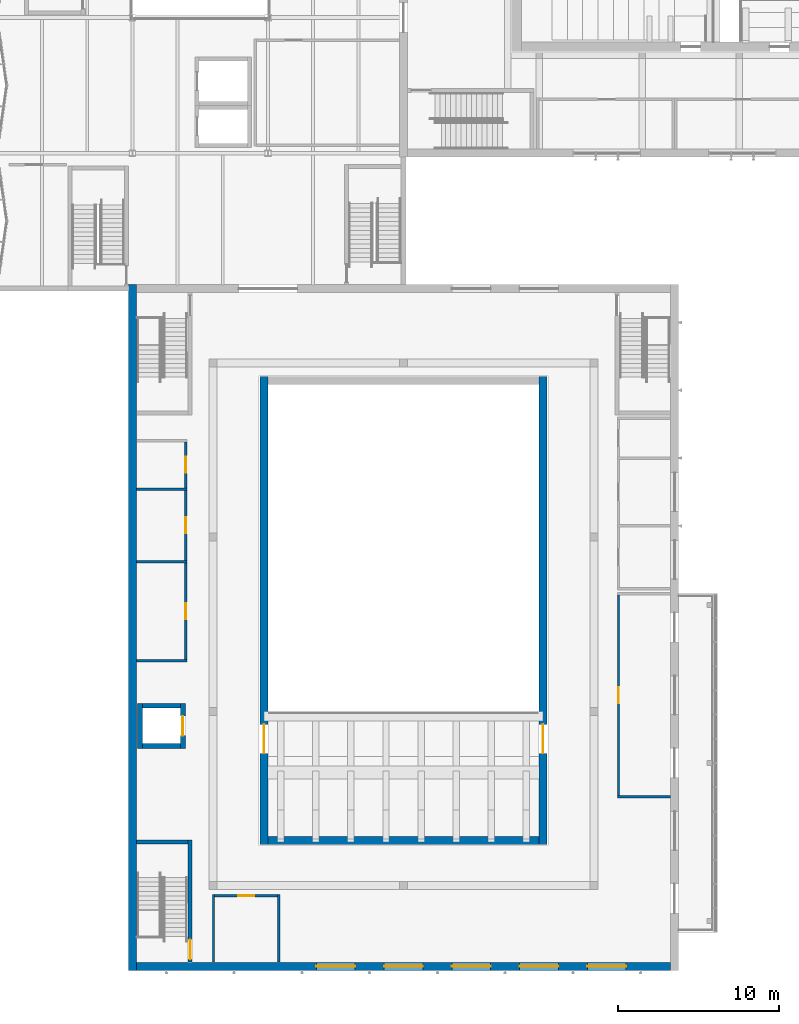
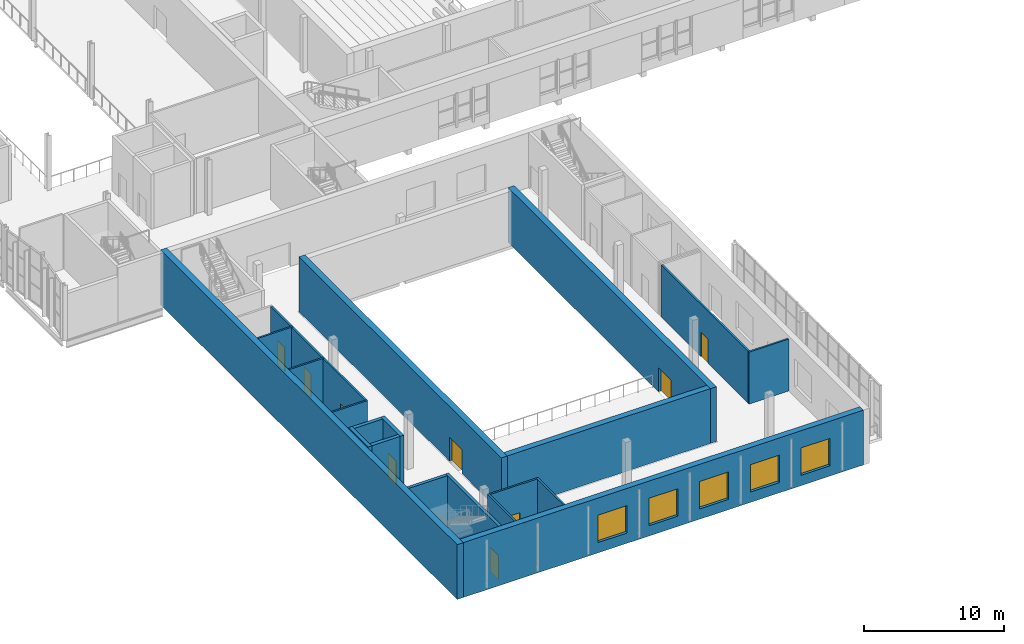
# One storey, part 70 of 127: 22 walls, 9 doors, 5 windows, 14 openings.
"""IFC4 building model written with IfcOpenShell, lengths in metres."""

from ifc_helpers import new_model, si_unit, direction, frame, frame_2d, origin, place, context, subcontext, project, spatial, rectangle, extrude, material, layer, layer_set, type_object, element, fill, save


model = new_model("IFC4")

# Units and contexts
model_context = context("Model", 3, precision=1e-05, world=origin(), true_north=direction((0.0, 1.0)))
body_context = subcontext(model_context, "Body", "Model", "MODEL_VIEW")
ifc_project = project(units=[si_unit("LENGTHUNIT", "METRE"), si_unit("AREAUNIT", "SQUARE_METRE"), si_unit("VOLUMEUNIT", "CUBIC_METRE"), si_unit("PLANEANGLEUNIT", "RADIAN"), si_unit("MASSUNIT", "GRAM", prefix="KILO")], contexts=[model_context])

# Site, building, storey
site_placement = place(None, origin())
site = spatial("IfcSite", under=ifc_project, at=site_placement, CompositionType="ELEMENT")
building_placement = place(site_placement, origin())
building = spatial("IfcBuilding", under=site, at=building_placement, Name="Ljudholm Concert House", CompositionType="ELEMENT")
storey_placement = place(building_placement, frame((0.0, 0.0, 5.39990234375)))
storey = spatial("IfcBuildingStorey", under=building, at=storey_placement, Name="L01", CompositionType="ELEMENT", Elevation=5.39990234375)

# Wall, opening, door
ifc_material_1 = material(Name="Gypsum board on steel studs", Category="steel")
ifc_layer_1 = layer(ifc_material_1, 0.14990234375)
ifc_layer_set_1 = layer_set([ifc_layer_1], Name="Gypsum board on steel studs")
wall_type_1 = type_object("IfcWallType", Name="GYPSUM PARTITION 150", PredefinedType="PARTITIONING", material=ifc_layer_set_1)
wall_1_placement = place(storey_placement, frame((17.5, 8.375, 0.0), z_axis=(0.0, 0.0, 1.0), x_axis=(1.0, 0.0, 0.0)))
wall_1 = element("IfcWall", 1, at=wall_1_placement, inside=storey, type_object=wall_type_1, Name="Chamber Hall Store partition", PredefinedType="PARTITIONING", context=body_context, shape_type="SweptSolid", body=[
    extrude(rectangle(XDim=3.89990234375, YDim=0.14990234375, at=frame_2d((1.949951171875, 0.0))), origin(), (0.0, 0.0, 1.0), 4.550048828125),
])
opening_1_placement = place(wall_1_placement, frame((1.449951171875, 0.0, 0.0)))
opening_1 = element("IfcOpeningElement", 2, at=opening_1_placement, cuts=wall_1, Name="Opening D-C01-005", PredefinedType="OPENING", context=body_context, shape_type="SweptSolid", body=[
    extrude(rectangle(XDim=1.0, YDim=2.10009765625, at=frame_2d((0.5, 1.050048828125))), frame((0.0, 0.0849609375, 0.0), z_axis=(0.0, -1.0, 0.0), x_axis=(1.0, 0.0, 0.0)), (0.0, 0.0, 1.0), 0.169921875),
])
ifc_material_2 = material(Name="Hollow metal door in steel frame", Category="steel")
door_type_1 = type_object("IfcDoorType", Name="SWING DOOR 1000x2100", OperationType="SINGLE_SWING_LEFT", PredefinedType="DOOR", material=ifc_material_2)
door_1_placement = place(opening_1_placement, frame((1.0, 0.0, 0.0), z_axis=(0.0, 0.0, 1.0), x_axis=(-1.0, 0.0, 0.0)))
door_1 = element("IfcDoor", 3, at=door_1_placement, inside=storey, type_object=door_type_1, Name="Chamber Hall Store door", OperationType="SINGLE_SWING_RIGHT", OverallHeight=2.10009765625, OverallWidth=1.0, PredefinedType="DOOR", context=body_context, shape_type="SweptSolid", body=[
    extrude(rectangle(XDim=1.0, YDim=2.10009765625, at=frame_2d((0.5, 1.050048828125))), frame((0.0, 0.02490234375, 0.0), z_axis=(0.0, -1.0, 0.0), x_axis=(1.0, 0.0, 0.0)), (0.0, 0.0, 1.0), 0.050048828125),
])
fill(opening_1, door_1)

# Walls
for number, where, z_axis, x_axis, name in (
    (4, (17.425048828125, 4.25, 0.0), (0.0, 0.0, 1.0), (0.0, 1.0, 0.0), "Chamber Hall Store partition"),
    (5, (21.47509765625, 4.25, 0.0), (0.0, 0.0, 1.0), (0.0, 1.0, 0.0), "Chamber Hall Store partition"),
):
    element("IfcWall", number, at=place(storey_placement, frame(where, z_axis=z_axis, x_axis=x_axis)), inside=storey, type_object=wall_type_1, Name=name, PredefinedType="PARTITIONING", context=body_context, shape_type="SweptSolid", body=[
        extrude(rectangle(XDim=4.199951171875, YDim=0.14990234375, at=frame_2d((2.10009765625, 0.0))), origin(), (0.0, 0.0, 1.0), 4.550048828125),
    ])

# Wall, opening, door
wall_2_placement = place(storey_placement, frame((15.699951171875, 23.0, 0.0), z_axis=(0.0, 0.0, 1.0), x_axis=(0.0, 1.0, 0.0)))
wall_2 = element("IfcWall", 6, at=wall_2_placement, inside=storey, type_object=wall_type_1, Name="Women's WC partition", PredefinedType="PARTITIONING", context=body_context, shape_type="SweptSolid", body=[
    extrude(rectangle(XDim=6.0, YDim=0.14990234375, at=frame_2d((3.0, 0.0))), origin(), (0.0, 0.0, 1.0), 4.550048828125),
])
opening_2_placement = place(wall_2_placement, frame((2.5, 0.0, 0.0)))
opening_2 = element("IfcOpeningElement", 7, at=opening_2_placement, cuts=wall_2, Name="Opening D-C01-006", PredefinedType="OPENING", context=body_context, shape_type="SweptSolid", body=[
    extrude(rectangle(XDim=1.0, YDim=2.10009765625, at=frame_2d((0.5, 1.050048828125))), frame((0.0, 0.0849609375, 0.0), z_axis=(0.0, -1.0, 0.0), x_axis=(1.0, 0.0, 0.0)), (0.0, 0.0, 1.0), 0.169921875),
])
door_2_placement = place(opening_2_placement, origin())
door_2 = element("IfcDoor", 8, at=door_2_placement, inside=storey, type_object=door_type_1, Name="Women's WC door", OperationType="SINGLE_SWING_RIGHT", OverallHeight=2.10009765625, OverallWidth=1.0, PredefinedType="DOOR", context=body_context, shape_type="SweptSolid", body=[
    extrude(rectangle(XDim=1.0, YDim=2.10009765625, at=frame_2d((0.5, 1.050048828125))), frame((0.0, 0.02490234375, 0.0), z_axis=(0.0, -1.0, 0.0), x_axis=(1.0, 0.0, 0.0)), (0.0, 0.0, 1.0), 0.050048828125),
])
fill(opening_2, door_2)

# Walls
for number, where, z_axis, x_axis, name in (
    (9, (12.64990234375, 22.925048828125, 0.0), (0.0, 0.0, 1.0), (1.0, 0.0, 0.0), "Women's WC partition"),
    (10, (12.64990234375, 29.074951171875, 0.0), (0.0, 0.0, 1.0), (1.0, 0.0, 0.0), "Women's WC partition"),
):
    element("IfcWall", number, at=place(storey_placement, frame(where, z_axis=z_axis, x_axis=x_axis)), inside=storey, type_object=wall_type_1, Name=name, PredefinedType="PARTITIONING", context=body_context, shape_type="SweptSolid", body=[
        extrude(rectangle(XDim=3.125, YDim=0.14990234375, at=frame_2d((1.5625, 0.0))), origin(), (0.0, 0.0, 1.0), 4.550048828125),
    ])

# Wall, opening, door
wall_3_placement = place(storey_placement, frame((15.699951171875, 29.14990234375, 0.0), z_axis=(0.0, 0.0, 1.0), x_axis=(0.0, 1.0, 0.0)))
wall_3 = element("IfcWall", 11, at=wall_3_placement, inside=storey, type_object=wall_type_1, Name="Men's WC partition", PredefinedType="PARTITIONING", context=body_context, shape_type="SweptSolid", body=[
    extrude(rectangle(XDim=4.35009765625, YDim=0.14990234375, at=frame_2d((2.175048828125, 0.0))), origin(), (0.0, 0.0, 1.0), 4.550048828125),
])
opening_3_placement = place(wall_3_placement, frame((1.675048828125, 0.0, 0.0)))
opening_3 = element("IfcOpeningElement", 12, at=opening_3_placement, cuts=wall_3, Name="Opening D-C01-007", PredefinedType="OPENING", context=body_context, shape_type="SweptSolid", body=[
    extrude(rectangle(XDim=1.0, YDim=2.10009765625, at=frame_2d((0.5, 1.050048828125))), frame((0.0, 0.0849609375, 0.0), z_axis=(0.0, -1.0, 0.0), x_axis=(1.0, 0.0, 0.0)), (0.0, 0.0, 1.0), 0.169921875),
])
door_3_placement = place(opening_3_placement, origin())
door_3 = element("IfcDoor", 13, at=door_3_placement, inside=storey, type_object=door_type_1, Name="Men's WC door", OperationType="SINGLE_SWING_RIGHT", OverallHeight=2.10009765625, OverallWidth=1.0, PredefinedType="DOOR", context=body_context, shape_type="SweptSolid", body=[
    extrude(rectangle(XDim=1.0, YDim=2.10009765625, at=frame_2d((0.5, 1.050048828125))), frame((0.0, 0.02490234375, 0.0), z_axis=(0.0, -1.0, 0.0), x_axis=(1.0, 0.0, 0.0)), (0.0, 0.0, 1.0), 0.050048828125),
])
fill(opening_3, door_3)

# Wall
wall_4_placement = place(storey_placement, frame((12.64990234375, 33.574951171875, 0.0), z_axis=(0.0, 0.0, 1.0), x_axis=(1.0, 0.0, 0.0)))
element("IfcWall", 14, at=wall_4_placement, inside=storey, type_object=wall_type_1, Name="Men's WC partition", PredefinedType="PARTITIONING", context=body_context, shape_type="SweptSolid", body=[
    extrude(rectangle(XDim=3.125, YDim=0.14990234375, at=frame_2d((1.5625, 0.0))), origin(), (0.0, 0.0, 1.0), 4.550048828125),
])

# Wall, opening, door
wall_5_placement = place(storey_placement, frame((15.699951171875, 33.64990234375, 0.0), z_axis=(0.0, 0.0, 1.0), x_axis=(0.0, 1.0, 0.0)))
wall_5 = element("IfcWall", 15, at=wall_5_placement, inside=storey, type_object=wall_type_1, Name="Accessible WC partition", PredefinedType="PARTITIONING", context=body_context, shape_type="SweptSolid", body=[
    extrude(rectangle(XDim=2.85009765625, YDim=0.14990234375, at=frame_2d((1.425048828125, 0.0))), origin(), (0.0, 0.0, 1.0), 4.550048828125),
])
opening_4_placement = place(wall_5_placement, frame((0.925048828125, 0.0, 0.0)))
opening_4 = element("IfcOpeningElement", 16, at=opening_4_placement, cuts=wall_5, Name="Opening D-C01-008", PredefinedType="OPENING", context=body_context, shape_type="SweptSolid", body=[
    extrude(rectangle(XDim=1.0, YDim=2.10009765625, at=frame_2d((0.5, 1.050048828125))), frame((0.0, 0.0849609375, 0.0), z_axis=(0.0, -1.0, 0.0), x_axis=(1.0, 0.0, 0.0)), (0.0, 0.0, 1.0), 0.169921875),
])
door_4_placement = place(opening_4_placement, origin())
door_4 = element("IfcDoor", 17, at=door_4_placement, inside=storey, type_object=door_type_1, Name="Accessible WC door", OperationType="SINGLE_SWING_LEFT", OverallHeight=2.10009765625, OverallWidth=1.0, PredefinedType="DOOR", context=body_context, shape_type="SweptSolid", body=[
    extrude(rectangle(XDim=1.0, YDim=2.10009765625, at=frame_2d((0.5, 1.050048828125))), frame((0.0, 0.02490234375, 0.0), z_axis=(0.0, -1.0, 0.0), x_axis=(1.0, 0.0, 0.0)), (0.0, 0.0, 1.0), 0.050048828125),
])
fill(opening_4, door_4)

wall_6_placement = place(storey_placement, frame((42.52490234375, 14.574951171875, 0.0), z_axis=(0.0, 0.0, 1.0), x_axis=(0.0, 1.0, 0.0)))
wall_6 = element("IfcWall", 18, at=wall_6_placement, inside=storey, type_object=wall_type_1, Name="Chamber Hall Bar partition", PredefinedType="PARTITIONING", context=body_context, shape_type="SweptSolid", body=[
    extrude(rectangle(XDim=12.449951171875, YDim=0.14990234375, at=frame_2d((6.22509765625, 0.0))), origin(), (0.0, 0.0, 1.0), 4.550048828125),
])
opening_5_placement = place(wall_6_placement, frame((5.72509765625, 0.0, 0.0)))
opening_5 = element("IfcOpeningElement", 19, at=opening_5_placement, cuts=wall_6, Name="Opening D-C01-009", PredefinedType="OPENING", context=body_context, shape_type="SweptSolid", body=[
    extrude(rectangle(XDim=1.0, YDim=2.10009765625, at=frame_2d((0.5, 1.050048828125))), frame((0.0, 0.0849609375, 0.0), z_axis=(0.0, -1.0, 0.0), x_axis=(1.0, 0.0, 0.0)), (0.0, 0.0, 1.0), 0.169921875),
])
door_5_placement = place(opening_5_placement, frame((1.0, 0.0, 0.0), z_axis=(0.0, 0.0, 1.0), x_axis=(-1.0, 0.0, 0.0)))
door_5 = element("IfcDoor", 20, at=door_5_placement, inside=storey, type_object=door_type_1, Name="Chamber Hall Bar door", OperationType="SINGLE_SWING_LEFT", OverallHeight=2.10009765625, OverallWidth=1.0, PredefinedType="DOOR", context=body_context, shape_type="SweptSolid", body=[
    extrude(rectangle(XDim=1.0, YDim=2.10009765625, at=frame_2d((0.5, 1.050048828125))), frame((0.0, 0.02490234375, 0.0), z_axis=(0.0, -1.0, 0.0), x_axis=(1.0, 0.0, 0.0)), (0.0, 0.0, 1.0), 0.050048828125),
])
fill(opening_5, door_5)

# Wall
wall_7_placement = place(storey_placement, frame((42.449951171875, 14.5, 0.0), z_axis=(0.0, 0.0, 1.0), x_axis=(1.0, 0.0, 0.0)))
element("IfcWall", 21, at=wall_7_placement, inside=storey, type_object=wall_type_1, Name="Chamber Hall Bar partition", PredefinedType="PARTITIONING", context=body_context, shape_type="SweptSolid", body=[
    extrude(rectangle(XDim=3.300048828125, YDim=0.14990234375, at=frame_2d((1.64990234375, 0.0))), origin(), (0.0, 0.0, 1.0), 4.550048828125),
])

# Wall, opening, door
ifc_material_3 = material(Name="Concrete 6,500 psi", Category="concrete")
ifc_layer_2 = layer(ifc_material_3, 0.25)
ifc_layer_set_2 = layer_set([ifc_layer_2], Name="Concrete 6,500 psi")
wall_type_2 = type_object("IfcWallType", Name="RC WALL 250", PredefinedType="SOLIDWALL", material=ifc_layer_set_2)
wall_8_placement = place(storey_placement, frame((15.97509765625, 4.25, 0.0), z_axis=(0.0, 0.0, 1.0), x_axis=(0.0, 1.0, 0.0)))
wall_8 = element("IfcWall", 22, at=wall_8_placement, inside=storey, type_object=wall_type_2, Name="Stair enclosure wall EC1", PredefinedType="SOLIDWALL", context=body_context, shape_type="SweptSolid", body=[
    extrude(rectangle(XDim=7.570068359375, YDim=0.25, at=frame_2d((3.78515625, 0.0))), origin(), (0.0, 0.0, 1.0), 4.800048828125),
])
opening_6_placement = place(wall_8_placement, frame((0.199951171875, 0.0, 0.0)))
opening_6 = element("IfcOpeningElement", 23, at=opening_6_placement, cuts=wall_8, Name="Opening D-C01-013", PredefinedType="OPENING", context=body_context, shape_type="SweptSolid", body=[
    extrude(rectangle(XDim=1.199951171875, YDim=2.10009765625, at=frame_2d((0.60009765625, 1.050048828125))), frame((0.0, 0.135009765625, 0.0), z_axis=(0.0, -1.0, 0.0), x_axis=(1.0, 0.0, 0.0)), (0.0, 0.0, 1.0), 0.27001953125),
])
ifc_material_4 = material(Name="Hollow metal door in steel frame", Category="steel")
door_type_2 = type_object("IfcDoorType", Name="SWING DOOR 1200x2100", OperationType="SINGLE_SWING_LEFT", PredefinedType="DOOR", material=ifc_material_4)
door_6_placement = place(opening_6_placement, origin())
door_6 = element("IfcDoor", 24, at=door_6_placement, inside=storey, type_object=door_type_2, Name="Exit stair EC1 door", OperationType="SINGLE_SWING_RIGHT", OverallHeight=2.10009765625, OverallWidth=1.199951171875, PredefinedType="DOOR", context=body_context, shape_type="SweptSolid", body=[
    extrude(rectangle(XDim=1.199951171875, YDim=2.10009765625, at=frame_2d((0.60009765625, 1.050048828125))), frame((0.0, 0.02490234375, 0.0), z_axis=(0.0, -1.0, 0.0), x_axis=(1.0, 0.0, 0.0)), (0.0, 0.0, 1.0), 0.050048828125),
])
fill(opening_6, door_6)

# Walls
wall_9_placement = place(storey_placement, frame((12.64990234375, 11.695068359375, 0.0), z_axis=(0.0, 0.0, 1.0), x_axis=(1.0, 0.0, 0.0)))
element("IfcWall", 25, at=wall_9_placement, inside=storey, type_object=wall_type_2, Name="Stair enclosure wall EC1", PredefinedType="SOLIDWALL", context=body_context, shape_type="SweptSolid", body=[
    extrude(rectangle(XDim=3.2001953125, YDim=0.25, at=frame_2d((1.60009765625, 0.0))), origin(), (0.0, 0.0, 1.0), 4.800048828125),
])
ifc_material_5 = material(Name="Concrete 6,500 psi", Category="concrete")
ifc_layer_3 = layer(ifc_material_5, 0.300048828125)
ifc_layer_set_3 = layer_set([ifc_layer_3], Name="Concrete 6,500 psi")
wall_type_3 = type_object("IfcWallType", Name="RC WALL 300", PredefinedType="SOLIDWALL", material=ifc_layer_set_3)
wall_10_placement = place(storey_placement, frame((12.875, 17.5, 0.0), z_axis=(0.0, 0.0, 1.0), x_axis=(0.0, 1.0, 0.0)))
element("IfcWall", 26, at=wall_10_placement, inside=storey, type_object=wall_type_3, Name="Lift shaft wall", PredefinedType="SOLIDWALL", context=body_context, shape_type="SweptSolid", body=[
    extrude(rectangle(XDim=2.800048828125, YDim=0.300048828125, at=frame_2d((1.39990234375, 0.0))), origin(), (0.0, 0.0, 1.0), 4.800048828125),
])

# Wall, opening, door
wall_11_placement = place(storey_placement, frame((15.52490234375, 17.5, 0.0), z_axis=(0.0, 0.0, 1.0), x_axis=(0.0, 1.0, 0.0)))
wall_11 = element("IfcWall", 27, at=wall_11_placement, inside=storey, type_object=wall_type_3, Name="Lift shaft wall", PredefinedType="SOLIDWALL", context=body_context, shape_type="SweptSolid", body=[
    extrude(rectangle(XDim=2.800048828125, YDim=0.300048828125, at=frame_2d((1.39990234375, 0.0))), origin(), (0.0, 0.0, 1.0), 4.800048828125),
])
opening_7_placement = place(wall_11_placement, frame((0.800048828125, 0.0, 0.0)))
opening_7 = element("IfcOpeningElement", 28, at=opening_7_placement, cuts=wall_11, Name="Opening LD-C01-001", PredefinedType="OPENING", context=body_context, shape_type="SweptSolid", body=[
    extrude(rectangle(XDim=1.199951171875, YDim=2.10009765625, at=frame_2d((0.60009765625, 1.050048828125))), frame((0.0, 0.159912109375, 0.0), z_axis=(0.0, -1.0, 0.0), x_axis=(1.0, 0.0, 0.0)), (0.0, 0.0, 1.0), 0.320068359375),
])
ifc_material_6 = material(Name="Stainless steel sliding landing door, fire-rated", Category="steel")
door_type_3 = type_object("IfcDoorType", Name="LIFT DOOR 1200x2100", OperationType="SLIDING_TO_LEFT", PredefinedType="DOOR", material=ifc_material_6)
door_7_placement = place(opening_7_placement, origin())
door_7 = element("IfcDoor", 29, at=door_7_placement, inside=storey, type_object=door_type_3, Name="Lift landing door", OperationType="SLIDING_TO_LEFT", OverallHeight=2.10009765625, OverallWidth=1.199951171875, PredefinedType="DOOR", context=body_context, shape_type="SweptSolid", body=[
    extrude(rectangle(XDim=1.199951171875, YDim=2.10009765625, at=frame_2d((0.60009765625, 1.050048828125))), frame((0.0, 0.02490234375, 0.0), z_axis=(0.0, -1.0, 0.0), x_axis=(1.0, 0.0, 0.0)), (0.0, 0.0, 1.0), 0.050048828125),
])
fill(opening_7, door_7)

# Walls
for number, where, z_axis, x_axis, name in (
    (30, (13.02490234375, 17.64990234375, 0.0), (0.0, 0.0, 1.0), (1.0, 0.0, 0.0), "Lift shaft wall"),
    (31, (13.02490234375, 20.14990234375, 0.0), (0.0, 0.0, 1.0), (1.0, 0.0, 0.0), "Lift shaft wall"),
):
    element("IfcWall", number, at=place(storey_placement, frame(where, z_axis=z_axis, x_axis=x_axis)), inside=storey, type_object=wall_type_3, Name=name, PredefinedType="SOLIDWALL", context=body_context, shape_type="SweptSolid", body=[
        extrude(rectangle(XDim=2.35009765625, YDim=0.300048828125, at=frame_2d((1.175048828125, 0.0))), origin(), (0.0, 0.0, 1.0), 4.800048828125),
    ])
ifc_material_7 = material(Name="Concrete 6,500 psi", Category="concrete")
ifc_layer_4 = layer(ifc_material_7, 0.5)
ifc_layer_set_4 = layer_set([ifc_layer_4], Name="Concrete 6,500 psi")
wall_type_4 = type_object("IfcWallType", Name="RC WALL 500", PredefinedType="SOLIDWALL", material=ifc_layer_set_4)
wall_12_placement = place(storey_placement, frame((12.39990234375, 3.75, 0.0), z_axis=(0.0, 0.0, 1.0), x_axis=(0.0, 1.0, 0.0)))
element("IfcWall", 32, at=wall_12_placement, inside=storey, type_object=wall_type_4, Name="Outer wall W", PredefinedType="SOLIDWALL", context=body_context, shape_type="SweptSolid", body=[
    extrude(rectangle(XDim=42.5, YDim=0.5, at=frame_2d((21.25, 0.0))), origin(), (0.0, 0.0, 1.0), 4.800048828125),
])

# Wall, openings, windows
wall_13_placement = place(storey_placement, frame((12.64990234375, 4.0, 0.0), z_axis=(0.0, 0.0, 1.0), x_axis=(1.0, 0.0, 0.0)))
wall_13 = element("IfcWall", 33, at=wall_13_placement, inside=storey, type_object=wall_type_4, Name="Outer wall S", PredefinedType="SOLIDWALL", context=body_context, shape_type="SweptSolid", body=[
    extrude(rectangle(XDim=33.10009765625, YDim=0.5, at=frame_2d((16.550048828125, 0.0))), origin(), (0.0, 0.0, 1.0), 4.800048828125),
])
opening_8_placement = place(wall_13_placement, frame((11.14990234375, 0.0, 0.89990234375)))
opening_8 = element("IfcOpeningElement", 34, at=opening_8_placement, cuts=wall_13, Name="Opening X-C01-001", PredefinedType="OPENING", context=body_context, shape_type="SweptSolid", body=[
    extrude(rectangle(XDim=2.39990234375, YDim=2.39990234375, at=frame_2d((1.199951171875, 1.199951171875))), frame((0.0, 0.260009765625, 0.0), z_axis=(0.0, -1.0, 0.0), x_axis=(1.0, 0.0, 0.0)), (0.0, 0.0, 1.0), 0.52001953125),
])
opening_9_placement = place(wall_13_placement, frame((15.35009765625, 0.0, 0.89990234375)))
opening_9 = element("IfcOpeningElement", 35, at=opening_9_placement, cuts=wall_13, Name="Opening X-C01-002", PredefinedType="OPENING", context=body_context, shape_type="SweptSolid", body=[
    extrude(rectangle(XDim=2.39990234375, YDim=2.39990234375, at=frame_2d((1.199951171875, 1.199951171875))), frame((0.0, 0.260009765625, 0.0), z_axis=(0.0, -1.0, 0.0), x_axis=(1.0, 0.0, 0.0)), (0.0, 0.0, 1.0), 0.52001953125),
])
opening_10_placement = place(wall_13_placement, frame((19.550048828125, 0.0, 0.89990234375)))
opening_10 = element("IfcOpeningElement", 36, at=opening_10_placement, cuts=wall_13, Name="Opening X-C01-003", PredefinedType="OPENING", context=body_context, shape_type="SweptSolid", body=[
    extrude(rectangle(XDim=2.39990234375, YDim=2.39990234375, at=frame_2d((1.199951171875, 1.199951171875))), frame((0.0, 0.260009765625, 0.0), z_axis=(0.0, -1.0, 0.0), x_axis=(1.0, 0.0, 0.0)), (0.0, 0.0, 1.0), 0.52001953125),
])
opening_11_placement = place(wall_13_placement, frame((23.75, 0.0, 0.89990234375)))
opening_11 = element("IfcOpeningElement", 37, at=opening_11_placement, cuts=wall_13, Name="Opening X-C01-004", PredefinedType="OPENING", context=body_context, shape_type="SweptSolid", body=[
    extrude(rectangle(XDim=2.39990234375, YDim=2.39990234375, at=frame_2d((1.199951171875, 1.199951171875))), frame((0.0, 0.260009765625, 0.0), z_axis=(0.0, -1.0, 0.0), x_axis=(1.0, 0.0, 0.0)), (0.0, 0.0, 1.0), 0.52001953125),
])
opening_12_placement = place(wall_13_placement, frame((27.949951171875, 0.0, 0.89990234375)))
opening_12 = element("IfcOpeningElement", 38, at=opening_12_placement, cuts=wall_13, Name="Opening X-C01-005", PredefinedType="OPENING", context=body_context, shape_type="SweptSolid", body=[
    extrude(rectangle(XDim=2.39990234375, YDim=2.39990234375, at=frame_2d((1.199951171875, 1.199951171875))), frame((0.0, 0.260009765625, 0.0), z_axis=(0.0, -1.0, 0.0), x_axis=(1.0, 0.0, 0.0)), (0.0, 0.0, 1.0), 0.52001953125),
])
ifc_material_8 = material(Name="Aluminium frame, impact glazing", Category="aluminium")
window_type = type_object("IfcWindowType", Name="FIXED WINDOW 2400x2400", PartitioningType="SINGLE_PANEL", PredefinedType="WINDOW", material=ifc_material_8)
window_1_placement = place(opening_8_placement, origin())
window_1 = element("IfcWindow", 39, at=window_1_placement, inside=storey, type_object=window_type, Name="Promenade window", OverallHeight=2.39990234375, OverallWidth=2.39990234375, PartitioningType="SINGLE_PANEL", PredefinedType="WINDOW", context=body_context, shape_type="SweptSolid", body=[
    extrude(rectangle(XDim=2.39990234375, YDim=2.39990234375, at=frame_2d((1.199951171875, 1.199951171875))), frame((0.0, 0.030029296875, 0.0), z_axis=(0.0, -1.0, 0.0), x_axis=(1.0, 0.0, 0.0)), (0.0, 0.0, 1.0), 0.06005859375),
])
fill(opening_8, window_1)
window_2_placement = place(opening_9_placement, origin())
window_2 = element("IfcWindow", 40, at=window_2_placement, inside=storey, type_object=window_type, Name="Promenade window", OverallHeight=2.39990234375, OverallWidth=2.39990234375, PartitioningType="SINGLE_PANEL", PredefinedType="WINDOW", context=body_context, shape_type="SweptSolid", body=[
    extrude(rectangle(XDim=2.39990234375, YDim=2.39990234375, at=frame_2d((1.199951171875, 1.199951171875))), frame((0.0, 0.030029296875, 0.0), z_axis=(0.0, -1.0, 0.0), x_axis=(1.0, 0.0, 0.0)), (0.0, 0.0, 1.0), 0.06005859375),
])
fill(opening_9, window_2)
window_3_placement = place(opening_10_placement, origin())
window_3 = element("IfcWindow", 41, at=window_3_placement, inside=storey, type_object=window_type, Name="Promenade window", OverallHeight=2.39990234375, OverallWidth=2.39990234375, PartitioningType="SINGLE_PANEL", PredefinedType="WINDOW", context=body_context, shape_type="SweptSolid", body=[
    extrude(rectangle(XDim=2.39990234375, YDim=2.39990234375, at=frame_2d((1.199951171875, 1.199951171875))), frame((0.0, 0.030029296875, 0.0), z_axis=(0.0, -1.0, 0.0), x_axis=(1.0, 0.0, 0.0)), (0.0, 0.0, 1.0), 0.06005859375),
])
fill(opening_10, window_3)
window_4_placement = place(opening_11_placement, origin())
window_4 = element("IfcWindow", 42, at=window_4_placement, inside=storey, type_object=window_type, Name="Promenade window", OverallHeight=2.39990234375, OverallWidth=2.39990234375, PartitioningType="SINGLE_PANEL", PredefinedType="WINDOW", context=body_context, shape_type="SweptSolid", body=[
    extrude(rectangle(XDim=2.39990234375, YDim=2.39990234375, at=frame_2d((1.199951171875, 1.199951171875))), frame((0.0, 0.030029296875, 0.0), z_axis=(0.0, -1.0, 0.0), x_axis=(1.0, 0.0, 0.0)), (0.0, 0.0, 1.0), 0.06005859375),
])
fill(opening_11, window_4)
window_5_placement = place(opening_12_placement, origin())
window_5 = element("IfcWindow", 43, at=window_5_placement, inside=storey, type_object=window_type, Name="Promenade window", OverallHeight=2.39990234375, OverallWidth=2.39990234375, PartitioningType="SINGLE_PANEL", PredefinedType="WINDOW", context=body_context, shape_type="SweptSolid", body=[
    extrude(rectangle(XDim=2.39990234375, YDim=2.39990234375, at=frame_2d((1.199951171875, 1.199951171875))), frame((0.0, 0.030029296875, 0.0), z_axis=(0.0, -1.0, 0.0), x_axis=(1.0, 0.0, 0.0)), (0.0, 0.0, 1.0), 0.06005859375),
])
fill(opening_12, window_5)

# Wall, opening, door
ifc_material_9 = material(Name="Concrete 6,500 psi", Category="concrete")
ifc_layer_5 = layer(ifc_material_9, 0.5)
ifc_layer_set_5 = layer_set([ifc_layer_5], Name="Concrete 6,500 psi")
wall_type_5 = type_object("IfcWallType", Name="RC WALL 500 INTERNAL", PredefinedType="SOLIDWALL", material=ifc_layer_set_5)
wall_14_placement = place(storey_placement, frame((20.550048828125, 11.550048828125, 0.0), z_axis=(0.0, 0.0, 1.0), x_axis=(0.0, 1.0, 0.0)))
wall_14 = element("IfcWall", 44, at=wall_14_placement, inside=storey, type_object=wall_type_5, Name="Inner box wall W", PredefinedType="SOLIDWALL", context=body_context, shape_type="SweptSolid", body=[
    extrude(rectangle(XDim=29.0, YDim=0.5, at=frame_2d((14.5, 0.0))), origin(), (0.0, 0.0, 1.0), 4.800048828125),
])
opening_13_placement = place(wall_14_placement, frame((5.64990234375, 0.0, 0.0)))
opening_13 = element("IfcOpeningElement", 45, at=opening_13_placement, cuts=wall_14, Name="Opening D-C01-017", PredefinedType="OPENING", context=body_context, shape_type="SweptSolid", body=[
    extrude(rectangle(XDim=1.800048828125, YDim=2.10009765625, at=frame_2d((0.89990234375, 1.050048828125))), frame((0.0, 0.260009765625, 0.0), z_axis=(0.0, -1.0, 0.0), x_axis=(1.0, 0.0, 0.0)), (0.0, 0.0, 1.0), 0.52001953125),
])
ifc_material_10 = material(Name="Hollow metal door in steel frame", Category="steel")
door_type_4 = type_object("IfcDoorType", Name="DOUBLE DOOR 1800x2100", OperationType="DOUBLE_DOOR_SINGLE_SWING", PredefinedType="DOOR", material=ifc_material_10)
door_8_placement = place(opening_13_placement, frame((1.800048828125, 0.0, 0.0), z_axis=(0.0, 0.0, 1.0), x_axis=(-1.0, 0.0, 0.0)))
door_8 = element("IfcDoor", 46, at=door_8_placement, inside=storey, type_object=door_type_4, Name="Gallery door", OperationType="DOUBLE_DOOR_SINGLE_SWING", OverallHeight=2.10009765625, OverallWidth=1.800048828125, PredefinedType="DOOR", context=body_context, shape_type="SweptSolid", body=[
    extrude(rectangle(XDim=1.800048828125, YDim=2.10009765625, at=frame_2d((0.89990234375, 1.050048828125))), frame((0.0, 0.02490234375, 0.0), z_axis=(0.0, -1.0, 0.0), x_axis=(1.0, 0.0, 0.0)), (0.0, 0.0, 1.0), 0.050048828125),
])
fill(opening_13, door_8)

wall_15_placement = place(storey_placement, frame((37.85009765625, 11.550048828125, 0.0), z_axis=(0.0, 0.0, 1.0), x_axis=(0.0, 1.0, 0.0)))
wall_15 = element("IfcWall", 47, at=wall_15_placement, inside=storey, type_object=wall_type_5, Name="Inner box wall E", PredefinedType="SOLIDWALL", context=body_context, shape_type="SweptSolid", body=[
    extrude(rectangle(XDim=29.0, YDim=0.5, at=frame_2d((14.5, 0.0))), origin(), (0.0, 0.0, 1.0), 4.800048828125),
])
opening_14_placement = place(wall_15_placement, frame((5.64990234375, 0.0, 0.0)))
opening_14 = element("IfcOpeningElement", 48, at=opening_14_placement, cuts=wall_15, Name="Opening D-C01-018", PredefinedType="OPENING", context=body_context, shape_type="SweptSolid", body=[
    extrude(rectangle(XDim=1.800048828125, YDim=2.10009765625, at=frame_2d((0.89990234375, 1.050048828125))), frame((0.0, 0.260009765625, 0.0), z_axis=(0.0, -1.0, 0.0), x_axis=(1.0, 0.0, 0.0)), (0.0, 0.0, 1.0), 0.52001953125),
])
door_9_placement = place(opening_14_placement, origin())
door_9 = element("IfcDoor", 49, at=door_9_placement, inside=storey, type_object=door_type_4, Name="Gallery door", OperationType="DOUBLE_DOOR_SINGLE_SWING", OverallHeight=2.10009765625, OverallWidth=1.800048828125, PredefinedType="DOOR", context=body_context, shape_type="SweptSolid", body=[
    extrude(rectangle(XDim=1.800048828125, YDim=2.10009765625, at=frame_2d((0.89990234375, 1.050048828125))), frame((0.0, 0.02490234375, 0.0), z_axis=(0.0, -1.0, 0.0), x_axis=(1.0, 0.0, 0.0)), (0.0, 0.0, 1.0), 0.050048828125),
])
fill(opening_14, door_9)

# Wall
wall_16_placement = place(storey_placement, frame((20.800048828125, 11.800048828125, 0.0), z_axis=(0.0, 0.0, 1.0), x_axis=(1.0, 0.0, 0.0)))
element("IfcWall", 50, at=wall_16_placement, inside=storey, type_object=wall_type_5, Name="Inner box wall S", PredefinedType="SOLIDWALL", context=body_context, shape_type="SweptSolid", body=[
    extrude(rectangle(XDim=16.800048828125, YDim=0.5, at=frame_2d((8.39990234375, 0.0))), origin(), (0.0, 0.0, 1.0), 4.800048828125),
])

save(model, "model.ifc")
